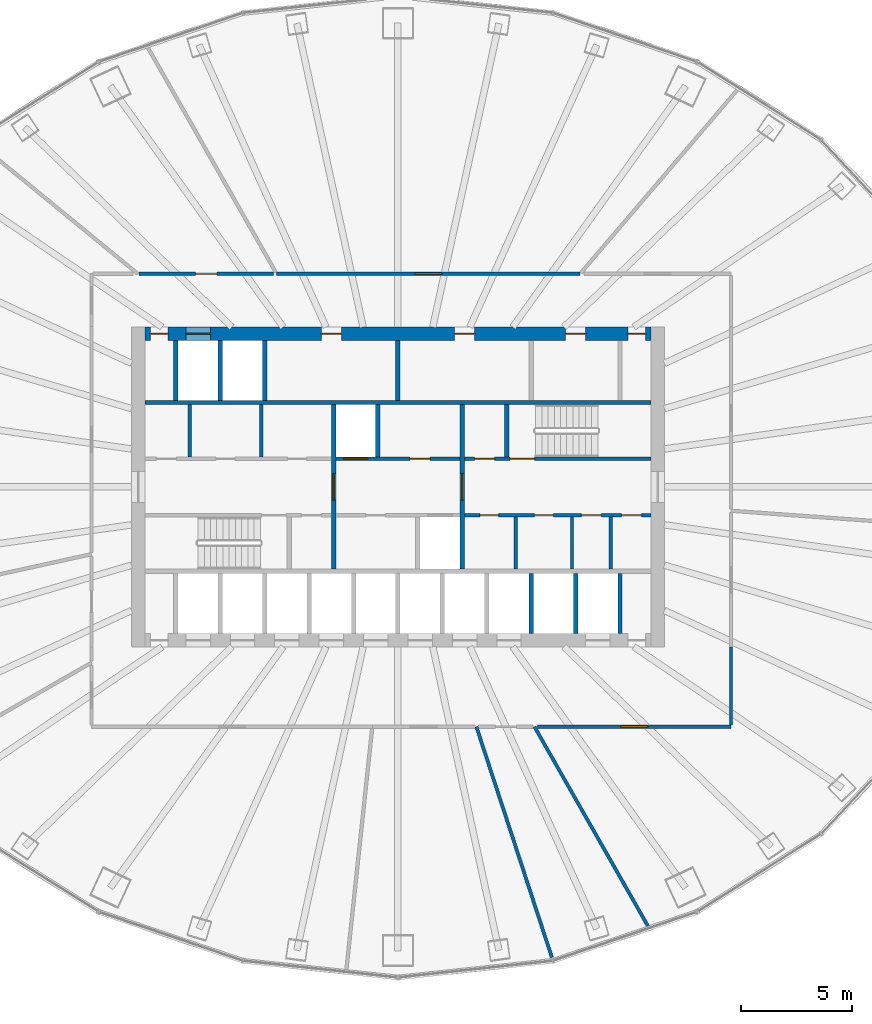
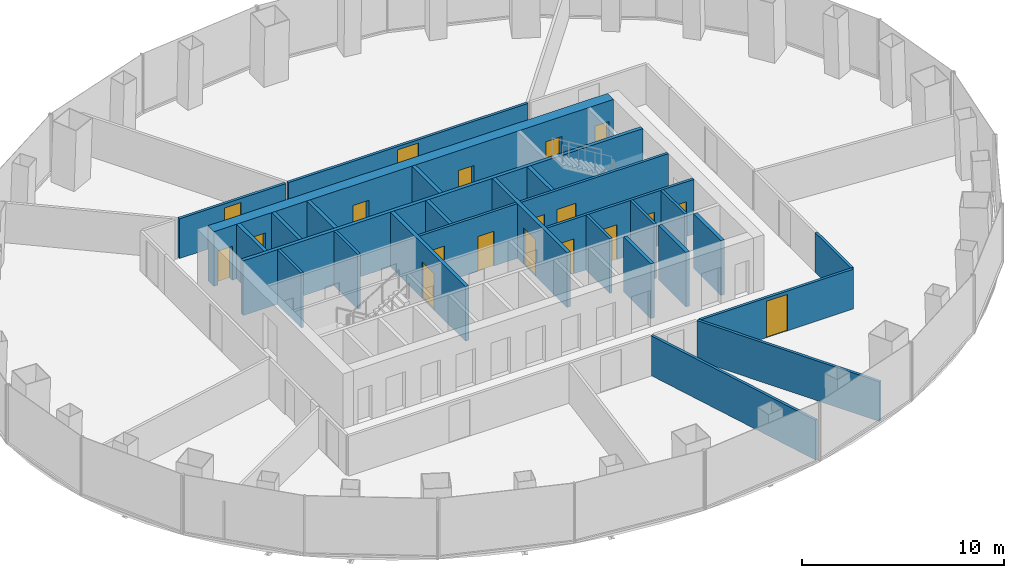
# One storey, part 9 of 11: 27 walls, 19 doors, 19 openings.
"""IFC4 building model written with IfcOpenShell, lengths in metres."""

from ifc_helpers import new_model, si_unit, direction, frame, frame_2d, origin, place, context, subcontext, project, spatial, rectangle, extrude, material, layer, layer_set, type_object, element, fill, save


model = new_model("IFC4")

# Units and contexts
model_context = context("Model", 3, precision=1e-05, world=origin(), true_north=direction((0.0, 1.0)))
body_context = subcontext(model_context, "Body", "Model", "MODEL_VIEW")
ifc_project = project(units=[si_unit("LENGTHUNIT", "METRE"), si_unit("AREAUNIT", "SQUARE_METRE"), si_unit("VOLUMEUNIT", "CUBIC_METRE"), si_unit("PLANEANGLEUNIT", "RADIAN"), si_unit("MASSUNIT", "GRAM", prefix="KILO")], contexts=[model_context])

# Site, building, storey
site_placement = place(None, origin())
site = spatial("IfcSite", under=ifc_project, at=site_placement, CompositionType="ELEMENT")
building_placement = place(site_placement, origin())
building = spatial("IfcBuilding", under=site, at=building_placement, Name="Siaravel Broadcast Tower", CompositionType="ELEMENT")
storey_placement = place(building_placement, frame((0.0, 0.0, 77.800048828125)))
storey = spatial("IfcBuildingStorey", under=building, at=storey_placement, Name="L18", CompositionType="ELEMENT", Elevation=77.800048828125)

# Walls
ifc_material_1 = material(Name="Concrete blockwork", Category="masonry")
ifc_layer_1 = layer(ifc_material_1, 0.14990234375)
ifc_layer_set_1 = layer_set([ifc_layer_1], Name="Concrete blockwork")
wall_type_1 = type_object("IfcWallType", Name="Core partition 150", PredefinedType="PARTITIONING", material=ifc_layer_set_1)
for number, where, z_axis, x_axis, name in (
    (1, (-9.381103515625, 1.35009765625, 0.0), (0.0, 0.0, 1.0), (0.0, 1.0, 0.0), "L18 core partition PNW0"),
    (2, (-6.153076171875, 1.35009765625, 0.0), (0.0, 0.0, 1.0), (0.0, 1.0, 0.0), "L18 core partition PNW1"),
    (3, (5.301025390625, -3.699951171875, 0.0), (0.0, 0.0, 1.0), (0.0, 1.0, 0.0), "L18 core partition PSE0"),
    (4, (7.8359375, -3.699951171875, 0.0), (0.0, 0.0, 1.0), (0.0, 1.0, 0.0), "L18 core partition PSE1"),
    (5, (9.575927734375, -3.699951171875, 0.0), (0.0, 0.0, 1.0), (0.0, 1.0, 0.0), "L18 core partition PSE2"),
):
    element("IfcWall", number, at=place(storey_placement, frame(where, z_axis=z_axis, x_axis=x_axis)), inside=storey, type_object=wall_type_1, Name=name, PredefinedType="PARTITIONING", context=body_context, shape_type="SweptSolid", body=[
        extrude(rectangle(XDim=2.349853515625, YDim=0.14990234375, at=frame_2d((1.1748046875, 0.0))), origin(), (0.0, 0.0, 1.0), 3.300048828125),
    ])
ifc_layer_2 = layer(ifc_material_1, 0.199951171875)
ifc_layer_set_2 = layer_set([ifc_layer_2], Name="Concrete blockwork")
wall_type_2 = type_object("IfcWallType", Name="Core partition 200", PredefinedType="PARTITIONING", material=ifc_layer_set_2)
wall_1_placement = place(storey_placement, frame((0.0, 3.89990234375, 0.0), z_axis=(0.0, 0.0, 1.0), x_axis=(0.0, 1.0, 0.0)))
element("IfcWall", 6, at=wall_1_placement, inside=storey, type_object=wall_type_2, Name="L18 core partition PFN2", PredefinedType="PARTITIONING", context=body_context, shape_type="SweptSolid", body=[
    extrude(rectangle(XDim=2.7001953125, YDim=0.199951171875, at=frame_2d((1.35009765625, 0.0))), origin(), (0.0, 0.0, 1.0), 3.300048828125),
])

# Wall, openings, doors
ifc_material_2 = material(Name="Concrete C60/75", Category="concrete")
ifc_layer_3 = layer(ifc_material_2, 0.60009765625)
ifc_layer_set_3 = layer_set([ifc_layer_3], Name="Concrete C60/75")
wall_type_3 = type_object("IfcWallType", Name="Core wall 600", PredefinedType="SHEAR", material=ifc_layer_set_3)
wall_2_placement = place(storey_placement, frame((-11.39990234375, 6.89990234375, 0.0), z_axis=(0.0, 0.0, 1.0), x_axis=(1.0, 0.0, 0.0)))
wall_2 = element("IfcWall", 7, at=wall_2_placement, inside=storey, type_object=wall_type_3, Name="L18 core wall ON", PredefinedType="SHEAR", context=body_context, shape_type="SweptSolid", body=[
    extrude(rectangle(XDim=22.7998046875, YDim=0.60009765625, at=frame_2d((11.39990234375, 0.0))), origin(), (0.0, 0.0, 1.0), 3.300048828125),
])
opening_1_placement = place(wall_2_placement, frame((1.85009765625, 0.0, 0.0)))
opening_1 = element("IfcOpeningElement", 8, at=opening_1_placement, cuts=wall_2, Name="Opening LD-SV2-L18", PredefinedType="OPENING", context=body_context, shape_type="SweptSolid", body=[
    extrude(rectangle(XDim=1.10009765625, YDim=2.199951171875, at=frame_2d((0.550048828125, 1.10009765625))), frame((0.0, 0.31005859375, 0.0), z_axis=(0.0, -1.0, 0.0), x_axis=(1.0, 0.0, 0.0)), (0.0, 0.0, 1.0), 0.6201171875),
])
opening_2_placement = place(wall_2_placement, frame((7.949951171875, 0.0, 0.0)))
opening_2 = element("IfcOpeningElement", 9, at=opening_2_placement, cuts=wall_2, Name="Opening L18-DFN2", PredefinedType="OPENING", context=body_context, shape_type="SweptSolid", body=[
    extrude(rectangle(XDim=0.89990234375, YDim=2.10009765625, at=frame_2d((0.449951171875, 1.050048828125))), frame((0.0, 0.31005859375, 0.0), z_axis=(0.0, -1.0, 0.0), x_axis=(1.0, 0.0, 0.0)), (0.0, 0.0, 1.0), 0.6201171875),
])
opening_3_placement = place(wall_2_placement, frame((13.949951171875, 0.0, 0.0)))
opening_3 = element("IfcOpeningElement", 10, at=opening_3_placement, cuts=wall_2, Name="Opening L18-DFN5", PredefinedType="OPENING", context=body_context, shape_type="SweptSolid", body=[
    extrude(rectangle(XDim=0.89990234375, YDim=2.10009765625, at=frame_2d((0.449951171875, 1.050048828125))), frame((0.0, 0.31005859375, 0.0), z_axis=(0.0, -1.0, 0.0), x_axis=(1.0, 0.0, 0.0)), (0.0, 0.0, 1.0), 0.6201171875),
])
opening_4_placement = place(wall_2_placement, frame((18.949951171875, 0.0, 0.0)))
opening_4 = element("IfcOpeningElement", 11, at=opening_4_placement, cuts=wall_2, Name="Opening L18-DFN8", PredefinedType="OPENING", context=body_context, shape_type="SweptSolid", body=[
    extrude(rectangle(XDim=0.89990234375, YDim=2.10009765625, at=frame_2d((0.449951171875, 1.050048828125))), frame((0.0, 0.31005859375, 0.0), z_axis=(0.0, -1.0, 0.0), x_axis=(1.0, 0.0, 0.0)), (0.0, 0.0, 1.0), 0.6201171875),
])
opening_5_placement = place(wall_2_placement, frame((0.25, 0.0, 0.0)))
opening_5 = element("IfcOpeningElement", 12, at=opening_5_placement, cuts=wall_2, Name="Opening L18-DRNW", PredefinedType="OPENING", context=body_context, shape_type="SweptSolid", body=[
    extrude(rectangle(XDim=0.800048828125, YDim=2.050048828125, at=frame_2d((0.39990234375, 1.02490234375))), frame((0.0, 0.31005859375, 0.0), z_axis=(0.0, -1.0, 0.0), x_axis=(1.0, 0.0, 0.0)), (0.0, 0.0, 1.0), 0.6201171875),
])
opening_6_placement = place(wall_2_placement, frame((21.75, 0.0, 0.0)))
opening_6 = element("IfcOpeningElement", 13, at=opening_6_placement, cuts=wall_2, Name="Opening L18-DRNE", PredefinedType="OPENING", context=body_context, shape_type="SweptSolid", body=[
    extrude(rectangle(XDim=0.800048828125, YDim=2.050048828125, at=frame_2d((0.39990234375, 1.02490234375))), frame((0.0, 0.31005859375, 0.0), z_axis=(0.0, -1.0, 0.0), x_axis=(1.0, 0.0, 0.0)), (0.0, 0.0, 1.0), 0.6201171875),
])
ifc_material_3 = material(Name="Timber veneer", Category="wood")
door_type_1 = type_object("IfcDoorType", Name="Core room door 900", OperationType="SINGLE_SWING_LEFT", PredefinedType="DOOR", material=ifc_material_3)
door_1_placement = place(opening_2_placement, origin())
door_1 = element("IfcDoor", 14, at=door_1_placement, inside=storey, type_object=door_type_1, Name="L18 door DFN2", OperationType="SINGLE_SWING_LEFT", OverallHeight=2.10009765625, OverallWidth=0.89990234375, PredefinedType="DOOR", context=body_context, shape_type="SweptSolid", body=[
    extrude(rectangle(XDim=0.89990234375, YDim=2.10009765625, at=frame_2d((0.449951171875, 1.050048828125))), frame((0.0, 0.02490234375, 0.0), z_axis=(0.0, -1.0, 0.0), x_axis=(1.0, 0.0, 0.0)), (0.0, 0.0, 1.0), 0.050048828125),
])
fill(opening_2, door_1)
door_2_placement = place(opening_3_placement, origin())
door_2 = element("IfcDoor", 15, at=door_2_placement, inside=storey, type_object=door_type_1, Name="L18 door DFN5", OperationType="SINGLE_SWING_LEFT", OverallHeight=2.10009765625, OverallWidth=0.89990234375, PredefinedType="DOOR", context=body_context, shape_type="SweptSolid", body=[
    extrude(rectangle(XDim=0.89990234375, YDim=2.10009765625, at=frame_2d((0.449951171875, 1.050048828125))), frame((0.0, 0.02490234375, 0.0), z_axis=(0.0, -1.0, 0.0), x_axis=(1.0, 0.0, 0.0)), (0.0, 0.0, 1.0), 0.050048828125),
])
fill(opening_3, door_2)
door_3_placement = place(opening_4_placement, origin())
door_3 = element("IfcDoor", 16, at=door_3_placement, inside=storey, type_object=door_type_1, Name="L18 door DFN8", OperationType="SINGLE_SWING_LEFT", OverallHeight=2.10009765625, OverallWidth=0.89990234375, PredefinedType="DOOR", context=body_context, shape_type="SweptSolid", body=[
    extrude(rectangle(XDim=0.89990234375, YDim=2.10009765625, at=frame_2d((0.449951171875, 1.050048828125))), frame((0.0, 0.02490234375, 0.0), z_axis=(0.0, -1.0, 0.0), x_axis=(1.0, 0.0, 0.0)), (0.0, 0.0, 1.0), 0.050048828125),
])
fill(opening_4, door_3)
ifc_material_4 = material(Name="Steel", Category="steel")
door_type_2 = type_object("IfcDoorType", Name="Riser door 800", OperationType="SINGLE_SWING_LEFT", PredefinedType="DOOR", material=ifc_material_4)
door_4_placement = place(opening_5_placement, origin())
door_4 = element("IfcDoor", 17, at=door_4_placement, inside=storey, type_object=door_type_2, Name="L18 door DRNW", OperationType="SINGLE_SWING_LEFT", OverallHeight=2.050048828125, OverallWidth=0.800048828125, PredefinedType="DOOR", context=body_context, shape_type="SweptSolid", body=[
    extrude(rectangle(XDim=0.800048828125, YDim=2.050048828125, at=frame_2d((0.39990234375, 1.02490234375))), frame((0.0, 0.02490234375, 0.0), z_axis=(0.0, -1.0, 0.0), x_axis=(1.0, 0.0, 0.0)), (0.0, 0.0, 1.0), 0.050048828125),
])
fill(opening_5, door_4)
door_5_placement = place(opening_6_placement, origin())
door_5 = element("IfcDoor", 18, at=door_5_placement, inside=storey, type_object=door_type_2, Name="L18 door DRNE", OperationType="SINGLE_SWING_LEFT", OverallHeight=2.050048828125, OverallWidth=0.800048828125, PredefinedType="DOOR", context=body_context, shape_type="SweptSolid", body=[
    extrude(rectangle(XDim=0.800048828125, YDim=2.050048828125, at=frame_2d((0.39990234375, 1.02490234375))), frame((0.0, 0.02490234375, 0.0), z_axis=(0.0, -1.0, 0.0), x_axis=(1.0, 0.0, 0.0)), (0.0, 0.0, 1.0), 0.050048828125),
])
fill(opening_6, door_5)
ifc_material_5 = material(Name="Stainless steel 316L", Category="steel")
door_type_3 = type_object("IfcDoorType", Name="Service lift landing door 1100", OperationType="DOUBLE_DOOR_SLIDING", PredefinedType="DOOR", material=ifc_material_5)
door_6_placement = place(opening_1_placement, origin())
door_6 = element("IfcDoor", 19, at=door_6_placement, inside=storey, type_object=door_type_3, Name="Landing door SV2 L18", OperationType="DOUBLE_DOOR_SLIDING", OverallHeight=2.199951171875, OverallWidth=1.10009765625, PredefinedType="DOOR", context=body_context, shape_type="SweptSolid", body=[
    extrude(rectangle(XDim=1.10009765625, YDim=2.199951171875, at=frame_2d((0.550048828125, 1.10009765625))), frame((0.0, 0.02490234375, 0.0), z_axis=(0.0, -1.0, 0.0), x_axis=(1.0, 0.0, 0.0)), (0.0, 0.0, 1.0), 0.050048828125),
])
fill(opening_1, door_6)

ifc_material_6 = material(Name="Gypsum board partition", Category="gypsum")
ifc_layer_4 = layer(ifc_material_6, 0.14990234375)
ifc_layer_set_4 = layer_set([ifc_layer_4], Name="Gypsum board partition")
wall_type_4 = type_object("IfcWallType", Name="Corridor wall 150", PredefinedType="PARTITIONING", material=ifc_layer_set_4)
wall_3_placement = place(storey_placement, frame((3.0, -1.27490234375, 0.0), z_axis=(0.0, 0.0, 1.0), x_axis=(1.0, 0.0, 0.0)))
wall_3 = element("IfcWall", 20, at=wall_3_placement, inside=storey, type_object=wall_type_4, Name="L18 core partition CSE", PredefinedType="PARTITIONING", context=body_context, shape_type="SweptSolid", body=[
    extrude(rectangle(XDim=8.39990234375, YDim=0.14990234375, at=frame_2d((4.199951171875, 0.0))), origin(), (0.0, 0.0, 1.0), 3.300048828125),
])
opening_7_placement = place(wall_3_placement, frame((0.68798828125, 0.0, 0.0)))
opening_7 = element("IfcOpeningElement", 21, at=opening_7_placement, cuts=wall_3, Name="Opening L18-DSE0", PredefinedType="OPENING", context=body_context, shape_type="SweptSolid", body=[
    extrude(rectangle(XDim=0.85009765625, YDim=2.10009765625, at=frame_2d((0.425048828125, 1.050048828125))), frame((0.0, 0.0849609375, 0.0), z_axis=(0.0, -1.0, 0.0), x_axis=(1.0, 0.0, 0.0)), (0.0, 0.0, 1.0), 0.169921875),
])
opening_8_placement = place(wall_3_placement, frame((3.1435546875, 0.0, 0.0)))
opening_8 = element("IfcOpeningElement", 22, at=opening_8_placement, cuts=wall_3, Name="Opening L18-DSE1", PredefinedType="OPENING", context=body_context, shape_type="SweptSolid", body=[
    extrude(rectangle(XDim=0.85009765625, YDim=2.10009765625, at=frame_2d((0.425048828125, 1.050048828125))), frame((0.0, 0.0849609375, 0.0), z_axis=(0.0, -1.0, 0.0), x_axis=(1.0, 0.0, 0.0)), (0.0, 0.0, 1.0), 0.169921875),
])
opening_9_placement = place(wall_3_placement, frame((5.256103515625, 0.0, 0.0)))
opening_9 = element("IfcOpeningElement", 23, at=opening_9_placement, cuts=wall_3, Name="Opening L18-DSE2", PredefinedType="OPENING", context=body_context, shape_type="SweptSolid", body=[
    extrude(rectangle(XDim=0.89990234375, YDim=2.10009765625, at=frame_2d((0.449951171875, 1.050048828125))), frame((0.0, 0.0849609375, 0.0), z_axis=(0.0, -1.0, 0.0), x_axis=(1.0, 0.0, 0.0)), (0.0, 0.0, 1.0), 0.169921875),
])
opening_10_placement = place(wall_3_placement, frame((7.075439453125, 0.0, 0.0)))
opening_10 = element("IfcOpeningElement", 24, at=opening_10_placement, cuts=wall_3, Name="Opening L18-DSE3", PredefinedType="OPENING", context=body_context, shape_type="SweptSolid", body=[
    extrude(rectangle(XDim=0.89990234375, YDim=2.10009765625, at=frame_2d((0.449951171875, 1.050048828125))), frame((0.0, 0.0849609375, 0.0), z_axis=(0.0, -1.0, 0.0), x_axis=(1.0, 0.0, 0.0)), (0.0, 0.0, 1.0), 0.169921875),
])
door_7_placement = place(opening_9_placement, origin())
door_7 = element("IfcDoor", 25, at=door_7_placement, inside=storey, type_object=door_type_1, Name="L18 door DSE2", OperationType="SINGLE_SWING_LEFT", OverallHeight=2.10009765625, OverallWidth=0.89990234375, PredefinedType="DOOR", context=body_context, shape_type="SweptSolid", body=[
    extrude(rectangle(XDim=0.89990234375, YDim=2.10009765625, at=frame_2d((0.449951171875, 1.050048828125))), frame((0.0, 0.02490234375, 0.0), z_axis=(0.0, -1.0, 0.0), x_axis=(1.0, 0.0, 0.0)), (0.0, 0.0, 1.0), 0.050048828125),
])
fill(opening_9, door_7)
door_8_placement = place(opening_10_placement, origin())
door_8 = element("IfcDoor", 26, at=door_8_placement, inside=storey, type_object=door_type_1, Name="L18 door DSE3", OperationType="SINGLE_SWING_LEFT", OverallHeight=2.10009765625, OverallWidth=0.89990234375, PredefinedType="DOOR", context=body_context, shape_type="SweptSolid", body=[
    extrude(rectangle(XDim=0.89990234375, YDim=2.10009765625, at=frame_2d((0.449951171875, 1.050048828125))), frame((0.0, 0.02490234375, 0.0), z_axis=(0.0, -1.0, 0.0), x_axis=(1.0, 0.0, 0.0)), (0.0, 0.0, 1.0), 0.050048828125),
])
fill(opening_10, door_8)
door_type_4 = type_object("IfcDoorType", Name="Core toilet door 850", OperationType="SINGLE_SWING_LEFT", PredefinedType="DOOR", material=ifc_material_3)
door_9_placement = place(opening_7_placement, origin())
door_9 = element("IfcDoor", 27, at=door_9_placement, inside=storey, type_object=door_type_4, Name="L18 door DSE0", OperationType="SINGLE_SWING_LEFT", OverallHeight=2.10009765625, OverallWidth=0.85009765625, PredefinedType="DOOR", context=body_context, shape_type="SweptSolid", body=[
    extrude(rectangle(XDim=0.85009765625, YDim=2.10009765625, at=frame_2d((0.425048828125, 1.050048828125))), frame((0.0, 0.02490234375, 0.0), z_axis=(0.0, -1.0, 0.0), x_axis=(1.0, 0.0, 0.0)), (0.0, 0.0, 1.0), 0.050048828125),
])
fill(opening_7, door_9)
door_10_placement = place(opening_8_placement, origin())
door_10 = element("IfcDoor", 28, at=door_10_placement, inside=storey, type_object=door_type_4, Name="L18 door DSE1", OperationType="SINGLE_SWING_LEFT", OverallHeight=2.10009765625, OverallWidth=0.85009765625, PredefinedType="DOOR", context=body_context, shape_type="SweptSolid", body=[
    extrude(rectangle(XDim=0.85009765625, YDim=2.10009765625, at=frame_2d((0.425048828125, 1.050048828125))), frame((0.0, 0.02490234375, 0.0), z_axis=(0.0, -1.0, 0.0), x_axis=(1.0, 0.0, 0.0)), (0.0, 0.0, 1.0), 0.050048828125),
])
fill(opening_8, door_10)

# Wall, opening, door
wall_4_placement = place(storey_placement, frame((8.206298828125, 9.60009765625, 0.0), z_axis=(0.0, 0.0, 1.0), x_axis=(-1.0, 0.0, 0.0)))
wall_4 = element("IfcWall", 29, at=wall_4_placement, inside=storey, type_object=wall_type_4, Name="L18 partition 1", PredefinedType="PARTITIONING", context=body_context, shape_type="SweptSolid", body=[
    extrude(rectangle(XDim=13.67138671875, YDim=0.14990234375, at=frame_2d((6.835693359375, 0.0))), origin(), (0.0, 0.0, 1.0), 2.39990234375),
])
opening_11_placement = place(wall_4_placement, frame((6.23583984375, 0.0, 0.0)))
opening_11 = element("IfcOpeningElement", 30, at=opening_11_placement, cuts=wall_4, Name="Opening L18-005", PredefinedType="OPENING", context=body_context, shape_type="SweptSolid", body=[
    extrude(rectangle(XDim=1.199951171875, YDim=2.199951171875, at=frame_2d((0.60009765625, 1.10009765625))), frame((0.0, 0.0849609375, 0.0), z_axis=(0.0, -1.0, 0.0), x_axis=(1.0, 0.0, 0.0)), (0.0, 0.0, 1.0), 0.169921875),
])
door_type_5 = type_object("IfcDoorType", Name="Office double door 1200", OperationType="DOUBLE_DOOR_SINGLE_SWING", PredefinedType="DOOR", material=ifc_material_3)
door_11_placement = place(opening_11_placement, origin())
door_11 = element("IfcDoor", 31, at=door_11_placement, inside=storey, type_object=door_type_5, Name="L18 door to Open plan newsroom", OperationType="DOUBLE_DOOR_SINGLE_SWING", OverallHeight=2.199951171875, OverallWidth=1.199951171875, PredefinedType="DOOR", context=body_context, shape_type="SweptSolid", body=[
    extrude(rectangle(XDim=1.199951171875, YDim=2.199951171875, at=frame_2d((0.60009765625, 1.10009765625))), frame((0.0, 0.02490234375, 0.0), z_axis=(0.0, -1.0, 0.0), x_axis=(1.0, 0.0, 0.0)), (0.0, 0.0, 1.0), 0.050048828125),
])
fill(opening_11, door_11)

wall_5_placement = place(storey_placement, frame((6.279296875, -10.800048828125, 0.0), z_axis=(0.0, 0.0, 1.0), x_axis=(1.0, 0.0, 0.0)))
wall_5 = element("IfcWall", 32, at=wall_5_placement, inside=storey, type_object=wall_type_4, Name="L18 partition 13", PredefinedType="PARTITIONING", context=body_context, shape_type="SweptSolid", body=[
    extrude(rectangle(XDim=8.720703125, YDim=0.14990234375, at=frame_2d((4.3603515625, 0.0))), origin(), (0.0, 0.0, 1.0), 2.39990234375),
])
opening_12_placement = place(wall_5_placement, frame((3.760498046875, 0.0, 0.0)))
opening_12 = element("IfcOpeningElement", 33, at=opening_12_placement, cuts=wall_5, Name="Opening L18-001", PredefinedType="OPENING", context=body_context, shape_type="SweptSolid", body=[
    extrude(rectangle(XDim=1.199951171875, YDim=2.199951171875, at=frame_2d((0.60009765625, 1.10009765625))), frame((0.0, 0.0849609375, 0.0), z_axis=(0.0, -1.0, 0.0), x_axis=(1.0, 0.0, 0.0)), (0.0, 0.0, 1.0), 0.169921875),
])
door_12_placement = place(opening_12_placement, origin())
door_12 = element("IfcDoor", 34, at=door_12_placement, inside=storey, type_object=door_type_5, Name="L18 door to Open plan newsroom", OperationType="DOUBLE_DOOR_SINGLE_SWING", OverallHeight=2.199951171875, OverallWidth=1.199951171875, PredefinedType="DOOR", context=body_context, shape_type="SweptSolid", body=[
    extrude(rectangle(XDim=1.199951171875, YDim=2.199951171875, at=frame_2d((0.60009765625, 1.10009765625))), frame((0.0, 0.02490234375, 0.0), z_axis=(0.0, -1.0, 0.0), x_axis=(1.0, 0.0, 0.0)), (0.0, 0.0, 1.0), 0.050048828125),
])
fill(opening_12, door_12)

wall_6_placement = place(storey_placement, frame((-5.59619140625, 9.60009765625, 0.0), z_axis=(0.0, 0.0, 1.0), x_axis=(-1.0, 0.0, 0.0)))
wall_6 = element("IfcWall", 35, at=wall_6_placement, inside=storey, type_object=wall_type_4, Name="L18 partition 16", PredefinedType="PARTITIONING", context=body_context, shape_type="SweptSolid", body=[
    extrude(rectangle(XDim=6.07421875, YDim=0.14990234375, at=frame_2d((3.037109375, 0.0))), origin(), (0.0, 0.0, 1.0), 2.39990234375),
])
opening_13_placement = place(wall_6_placement, frame((2.562255859375, 0.0, 0.0)))
opening_13 = element("IfcOpeningElement", 36, at=opening_13_placement, cuts=wall_6, Name="Opening L18-006", PredefinedType="OPENING", context=body_context, shape_type="SweptSolid", body=[
    extrude(rectangle(XDim=0.949951171875, YDim=2.14990234375, at=frame_2d((0.47509765625, 1.074951171875))), frame((0.0, 0.0849609375, 0.0), z_axis=(0.0, -1.0, 0.0), x_axis=(1.0, 0.0, 0.0)), (0.0, 0.0, 1.0), 0.169921875),
])
door_type_6 = type_object("IfcDoorType", Name="Office door 950", OperationType="SINGLE_SWING_LEFT", PredefinedType="DOOR", material=ifc_material_3)
door_13_placement = place(opening_13_placement, origin())
door_13 = element("IfcDoor", 37, at=door_13_placement, inside=storey, type_object=door_type_6, Name="L18 door to Production office", OperationType="SINGLE_SWING_RIGHT", OverallHeight=2.14990234375, OverallWidth=0.949951171875, PredefinedType="DOOR", context=body_context, shape_type="SweptSolid", body=[
    extrude(rectangle(XDim=0.949951171875, YDim=2.14990234375, at=frame_2d((0.47509765625, 1.074951171875))), frame((0.0, 0.02490234375, 0.0), z_axis=(0.0, -1.0, 0.0), x_axis=(1.0, 0.0, 0.0)), (0.0, 0.0, 1.0), 0.050048828125),
])
fill(opening_13, door_13)

# Walls
wall_7_placement = place(storey_placement, frame((15.0, -10.722900390625, 0.0), z_axis=(0.0, 0.0, 1.0), x_axis=(0.0, 1.0, 0.0)))
element("IfcWall", 38, at=wall_7_placement, inside=storey, type_object=wall_type_4, Name="L18 partition 20", PredefinedType="PARTITIONING", context=body_context, shape_type="SweptSolid", body=[
    extrude(rectangle(XDim=3.510009765625, YDim=0.14990234375, at=frame_2d((1.7548828125, 0.0))), origin(), (0.0, 0.0, 1.0), 2.39990234375),
])
ifc_layer_5 = layer(ifc_material_6, 0.14990234375)
ifc_layer_set_5 = layer_set([ifc_layer_5], Name="Gypsum board partition")
wall_type_5 = type_object("IfcWallType", Name="Room partition 150", PredefinedType="PARTITIONING", material=ifc_layer_set_5)
wall_8_placement = place(storey_placement, frame((6.928466796875, -21.179931640625, 0.0), z_axis=(0.0, 0.0, 1.0), x_axis=(-0.310911297, 0.950438933, 0.0)))
element("IfcWall", 39, at=wall_8_placement, inside=storey, type_object=wall_type_5, Name="L18 partition 8", PredefinedType="PARTITIONING", context=body_context, shape_type="SweptSolid", body=[
    extrude(rectangle(XDim=10.921142578125, YDim=0.14990234375, at=frame_2d((5.46044921875, 0.0))), origin(), (0.0, 0.0, 1.0), 2.39990234375),
])
wall_9_placement = place(storey_placement, frame((6.148193359375, -10.800048828125, 0.0), z_axis=(0.0, 0.0, 1.0), x_axis=(0.494733163, -0.869044934, 0.0)))
element("IfcWall", 40, at=wall_9_placement, inside=storey, type_object=wall_type_5, Name="L18 partition 9", PredefinedType="PARTITIONING", context=body_context, shape_type="SweptSolid", body=[
    extrude(rectangle(XDim=10.44091796875, YDim=0.14990234375, at=frame_2d((5.220458984375, 0.0))), origin(), (0.0, 0.0, 1.0), 2.39990234375),
])

# Wall, openings, doors
ifc_layer_6 = layer(ifc_material_2, 0.14990234375)
ifc_layer_set_6 = layer_set([ifc_layer_6], Name="Concrete C60/75")
wall_type_6 = type_object("IfcWallType", Name="Shaft wall 150", PredefinedType="SHEAR", material=ifc_layer_set_6)
wall_10_placement = place(storey_placement, frame((-2.800048828125, 1.27490234375, 0.0), z_axis=(0.0, 0.0, 1.0), x_axis=(1.0, 0.0, 0.0)))
wall_10 = element("IfcWall", 41, at=wall_10_placement, inside=storey, type_object=wall_type_6, Name="L18 core wall CNM", PredefinedType="SHEAR", context=body_context, shape_type="SweptSolid", body=[
    extrude(rectangle(XDim=5.60009765625, YDim=0.14990234375, at=frame_2d((2.800048828125, 0.0))), origin(), (0.0, 0.0, 1.0), 3.300048828125),
])
opening_14_placement = place(wall_10_placement, frame((0.35009765625, 0.0, 0.0)))
opening_14 = element("IfcOpeningElement", 42, at=opening_14_placement, cuts=wall_10, Name="Opening LD-FL1-L18", PredefinedType="OPENING", context=body_context, shape_type="SweptSolid", body=[
    extrude(rectangle(XDim=1.10009765625, YDim=2.199951171875, at=frame_2d((0.550048828125, 1.10009765625))), frame((0.0, 0.0849609375, 0.0), z_axis=(0.0, -1.0, 0.0), x_axis=(1.0, 0.0, 0.0)), (0.0, 0.0, 1.0), 0.169921875),
])
opening_15_placement = place(wall_10_placement, frame((3.35009765625, 0.0, 0.0)))
opening_15 = element("IfcOpeningElement", 43, at=opening_15_placement, cuts=wall_10, Name="Opening L18-DNM0", PredefinedType="OPENING", context=body_context, shape_type="SweptSolid", body=[
    extrude(rectangle(XDim=0.89990234375, YDim=2.10009765625, at=frame_2d((0.449951171875, 1.050048828125))), frame((0.0, 0.0849609375, 0.0), z_axis=(0.0, -1.0, 0.0), x_axis=(1.0, 0.0, 0.0)), (0.0, 0.0, 1.0), 0.169921875),
])
door_14_placement = place(opening_15_placement, origin())
door_14 = element("IfcDoor", 44, at=door_14_placement, inside=storey, type_object=door_type_1, Name="L18 door DNM0", OperationType="SINGLE_SWING_LEFT", OverallHeight=2.10009765625, OverallWidth=0.89990234375, PredefinedType="DOOR", context=body_context, shape_type="SweptSolid", body=[
    extrude(rectangle(XDim=0.89990234375, YDim=2.10009765625, at=frame_2d((0.449951171875, 1.050048828125))), frame((0.0, 0.02490234375, 0.0), z_axis=(0.0, -1.0, 0.0), x_axis=(1.0, 0.0, 0.0)), (0.0, 0.0, 1.0), 0.050048828125),
])
fill(opening_15, door_14)
door_type_7 = type_object("IfcDoorType", Name="Firefighting lift landing door 1100", OperationType="DOUBLE_DOOR_SLIDING", PredefinedType="DOOR", material=ifc_material_5)
door_15_placement = place(opening_14_placement, origin())
door_15 = element("IfcDoor", 45, at=door_15_placement, inside=storey, type_object=door_type_7, Name="Landing door FL1 L18", OperationType="DOUBLE_DOOR_SLIDING", OverallHeight=2.199951171875, OverallWidth=1.10009765625, PredefinedType="DOOR", context=body_context, shape_type="SweptSolid", body=[
    extrude(rectangle(XDim=1.10009765625, YDim=2.199951171875, at=frame_2d((0.550048828125, 1.10009765625))), frame((0.0, 0.02490234375, 0.0), z_axis=(0.0, -1.0, 0.0), x_axis=(1.0, 0.0, 0.0)), (0.0, 0.0, 1.0), 0.050048828125),
])
fill(opening_14, door_15)

wall_11_placement = place(storey_placement, frame((3.0, 1.27490234375, 0.0), z_axis=(0.0, 0.0, 1.0), x_axis=(1.0, 0.0, 0.0)))
wall_11 = element("IfcWall", 46, at=wall_11_placement, inside=storey, type_object=wall_type_6, Name="L18 core wall CNE", PredefinedType="SHEAR", context=body_context, shape_type="SweptSolid", body=[
    extrude(rectangle(XDim=8.39990234375, YDim=0.14990234375, at=frame_2d((4.199951171875, 0.0))), origin(), (0.0, 0.0, 1.0), 3.300048828125),
])
opening_16_placement = place(wall_11_placement, frame((2.050048828125, 0.0, 0.0)))
opening_16 = element("IfcOpeningElement", 47, at=opening_16_placement, cuts=wall_11, Name="Opening L18-DS-2", PredefinedType="OPENING", context=body_context, shape_type="SweptSolid", body=[
    extrude(rectangle(XDim=1.10009765625, YDim=2.14990234375, at=frame_2d((0.550048828125, 1.074951171875))), frame((0.0, 0.0849609375, 0.0), z_axis=(0.0, -1.0, 0.0), x_axis=(1.0, 0.0, 0.0)), (0.0, 0.0, 1.0), 0.169921875),
])
opening_17_placement = place(wall_11_placement, frame((0.449951171875, 0.0, 0.0)))
opening_17 = element("IfcOpeningElement", 48, at=opening_17_placement, cuts=wall_11, Name="Opening L18-DNE0", PredefinedType="OPENING", context=body_context, shape_type="SweptSolid", body=[
    extrude(rectangle(XDim=0.89990234375, YDim=2.10009765625, at=frame_2d((0.449951171875, 1.050048828125))), frame((0.0, 0.0849609375, 0.0), z_axis=(0.0, -1.0, 0.0), x_axis=(1.0, 0.0, 0.0)), (0.0, 0.0, 1.0), 0.169921875),
])
door_16_placement = place(opening_17_placement, origin())
door_16 = element("IfcDoor", 49, at=door_16_placement, inside=storey, type_object=door_type_1, Name="L18 door DNE0", OperationType="SINGLE_SWING_LEFT", OverallHeight=2.10009765625, OverallWidth=0.89990234375, PredefinedType="DOOR", context=body_context, shape_type="SweptSolid", body=[
    extrude(rectangle(XDim=0.89990234375, YDim=2.10009765625, at=frame_2d((0.449951171875, 1.050048828125))), frame((0.0, 0.02490234375, 0.0), z_axis=(0.0, -1.0, 0.0), x_axis=(1.0, 0.0, 0.0)), (0.0, 0.0, 1.0), 0.050048828125),
])
fill(opening_17, door_16)
door_type_8 = type_object("IfcDoorType", Name="Stair door 1100", OperationType="SINGLE_SWING_LEFT", PredefinedType="DOOR", material=ifc_material_4)
door_17_placement = place(opening_16_placement, origin())
door_17 = element("IfcDoor", 50, at=door_17_placement, inside=storey, type_object=door_type_8, Name="L18 door DS-2", OperationType="SINGLE_SWING_LEFT", OverallHeight=2.14990234375, OverallWidth=1.10009765625, PredefinedType="DOOR", context=body_context, shape_type="SweptSolid", body=[
    extrude(rectangle(XDim=1.10009765625, YDim=2.14990234375, at=frame_2d((0.550048828125, 1.074951171875))), frame((0.0, 0.02490234375, 0.0), z_axis=(0.0, -1.0, 0.0), x_axis=(1.0, 0.0, 0.0)), (0.0, 0.0, 1.0), 0.050048828125),
])
fill(opening_16, door_17)

# Walls
ifc_layer_7 = layer(ifc_material_2, 0.199951171875)
ifc_layer_set_7 = layer_set([ifc_layer_7], Name="Concrete C60/75")
wall_type_7 = type_object("IfcWallType", Name="Shaft wall 200", PredefinedType="SHEAR", material=ifc_layer_set_7)
wall_12_placement = place(storey_placement, frame((-11.39990234375, 3.800048828125, 0.0), z_axis=(0.0, 0.0, 1.0), x_axis=(1.0, 0.0, 0.0)))
element("IfcWall", 51, at=wall_12_placement, inside=storey, type_object=wall_type_7, Name="L18 core wall BN", PredefinedType="SHEAR", context=body_context, shape_type="SweptSolid", body=[
    extrude(rectangle(XDim=22.7998046875, YDim=0.199951171875, at=frame_2d((11.39990234375, 0.0))), origin(), (0.0, 0.0, 1.0), 3.300048828125),
])
for number, where, z_axis, x_axis, name in (
    (52, (6.0, -6.60009765625, 0.0), (0.0, 0.0, 1.0), (0.0, 1.0, 0.0), "L18 core wall SWS8"),
    (53, (8.0, -6.60009765625, 0.0), (0.0, 0.0, 1.0), (0.0, 1.0, 0.0), "L18 core wall SWS9"),
    (54, (10.0, -6.60009765625, 0.0), (0.0, 0.0, 1.0), (0.0, 1.0, 0.0), "L18 core wall SWS10"),
    (55, (-10.0, 3.89990234375, 0.0), (0.0, 0.0, 1.0), (0.0, 1.0, 0.0), "L18 core wall SWN0"),
    (56, (-8.0, 3.89990234375, 0.0), (0.0, 0.0, 1.0), (0.0, 1.0, 0.0), "L18 core wall SWN1"),
    (57, (-6.0, 3.89990234375, 0.0), (0.0, 0.0, 1.0), (0.0, 1.0, 0.0), "L18 core wall SWN2"),
):
    element("IfcWall", number, at=place(storey_placement, frame(where, z_axis=z_axis, x_axis=x_axis)), inside=storey, type_object=wall_type_7, Name=name, PredefinedType="SHEAR", context=body_context, shape_type="SweptSolid", body=[
        extrude(rectangle(XDim=2.7001953125, YDim=0.199951171875, at=frame_2d((1.35009765625, 0.0))), origin(), (0.0, 0.0, 1.0), 3.300048828125),
    ])

# Wall, opening, door
wall_13_placement = place(storey_placement, frame((-2.89990234375, -3.699951171875, 0.0), z_axis=(0.0, 0.0, 1.0), x_axis=(0.0, 1.0, 0.0)))
wall_13 = element("IfcWall", 58, at=wall_13_placement, inside=storey, type_object=wall_type_7, Name="L18 core wall LW", PredefinedType="SHEAR", context=body_context, shape_type="SweptSolid", body=[
    extrude(rectangle(XDim=7.39990234375, YDim=0.199951171875, at=frame_2d((3.699951171875, 0.0))), origin(), (0.0, 0.0, 1.0), 3.300048828125),
])
opening_18_placement = place(wall_13_placement, frame((3.10009765625, 0.0, 0.0)))
opening_18 = element("IfcOpeningElement", 59, at=opening_18_placement, cuts=wall_13, Name="Opening L18-DL-W", PredefinedType="OPENING", context=body_context, shape_type="SweptSolid", body=[
    extrude(rectangle(XDim=1.199951171875, YDim=2.199951171875, at=frame_2d((0.60009765625, 1.10009765625))), frame((0.0, 0.10986328125, 0.0), z_axis=(0.0, -1.0, 0.0), x_axis=(1.0, 0.0, 0.0)), (0.0, 0.0, 1.0), 0.219970703125),
])
door_type_9 = type_object("IfcDoorType", Name="Firefighting lobby door 1200", OperationType="SINGLE_SWING_LEFT", PredefinedType="DOOR", material=ifc_material_4)
door_18_placement = place(opening_18_placement, origin())
door_18 = element("IfcDoor", 60, at=door_18_placement, inside=storey, type_object=door_type_9, Name="L18 door DL-W", OperationType="SINGLE_SWING_LEFT", OverallHeight=2.199951171875, OverallWidth=1.199951171875, PredefinedType="DOOR", context=body_context, shape_type="SweptSolid", body=[
    extrude(rectangle(XDim=1.199951171875, YDim=2.199951171875, at=frame_2d((0.60009765625, 1.10009765625))), frame((0.0, 0.02490234375, 0.0), z_axis=(0.0, -1.0, 0.0), x_axis=(1.0, 0.0, 0.0)), (0.0, 0.0, 1.0), 0.050048828125),
])
fill(opening_18, door_18)

wall_14_placement = place(storey_placement, frame((2.89990234375, -3.699951171875, 0.0), z_axis=(0.0, 0.0, 1.0), x_axis=(0.0, 1.0, 0.0)))
wall_14 = element("IfcWall", 61, at=wall_14_placement, inside=storey, type_object=wall_type_7, Name="L18 core wall LE", PredefinedType="SHEAR", context=body_context, shape_type="SweptSolid", body=[
    extrude(rectangle(XDim=7.39990234375, YDim=0.199951171875, at=frame_2d((3.699951171875, 0.0))), origin(), (0.0, 0.0, 1.0), 3.300048828125),
])
opening_19_placement = place(wall_14_placement, frame((3.10009765625, 0.0, 0.0)))
opening_19 = element("IfcOpeningElement", 62, at=opening_19_placement, cuts=wall_14, Name="Opening L18-DL-E", PredefinedType="OPENING", context=body_context, shape_type="SweptSolid", body=[
    extrude(rectangle(XDim=1.199951171875, YDim=2.199951171875, at=frame_2d((0.60009765625, 1.10009765625))), frame((0.0, 0.10986328125, 0.0), z_axis=(0.0, -1.0, 0.0), x_axis=(1.0, 0.0, 0.0)), (0.0, 0.0, 1.0), 0.219970703125),
])
door_19_placement = place(opening_19_placement, origin())
door_19 = element("IfcDoor", 63, at=door_19_placement, inside=storey, type_object=door_type_9, Name="L18 door DL-E", OperationType="SINGLE_SWING_LEFT", OverallHeight=2.199951171875, OverallWidth=1.199951171875, PredefinedType="DOOR", context=body_context, shape_type="SweptSolid", body=[
    extrude(rectangle(XDim=1.199951171875, YDim=2.199951171875, at=frame_2d((0.60009765625, 1.10009765625))), frame((0.0, 0.02490234375, 0.0), z_axis=(0.0, -1.0, 0.0), x_axis=(1.0, 0.0, 0.0)), (0.0, 0.0, 1.0), 0.050048828125),
])
fill(opening_19, door_19)

# Walls
for number, where, z_axis, x_axis, name in (
    (64, (-0.89990234375, 1.35009765625, 0.0), (0.0, 0.0, 1.0), (0.0, 1.0, 0.0), "L18 core wall FF1E"),
    (65, (4.89990234375, 1.35009765625, 0.0), (0.0, 0.0, 1.0), (0.0, 1.0, 0.0), "L18 core wall ST2W"),
):
    element("IfcWall", number, at=place(storey_placement, frame(where, z_axis=z_axis, x_axis=x_axis)), inside=storey, type_object=wall_type_7, Name=name, PredefinedType="SHEAR", context=body_context, shape_type="SweptSolid", body=[
        extrude(rectangle(XDim=2.349853515625, YDim=0.199951171875, at=frame_2d((1.1748046875, 0.0))), origin(), (0.0, 0.0, 1.0), 3.300048828125),
    ])

save(model, "model.ifc")
